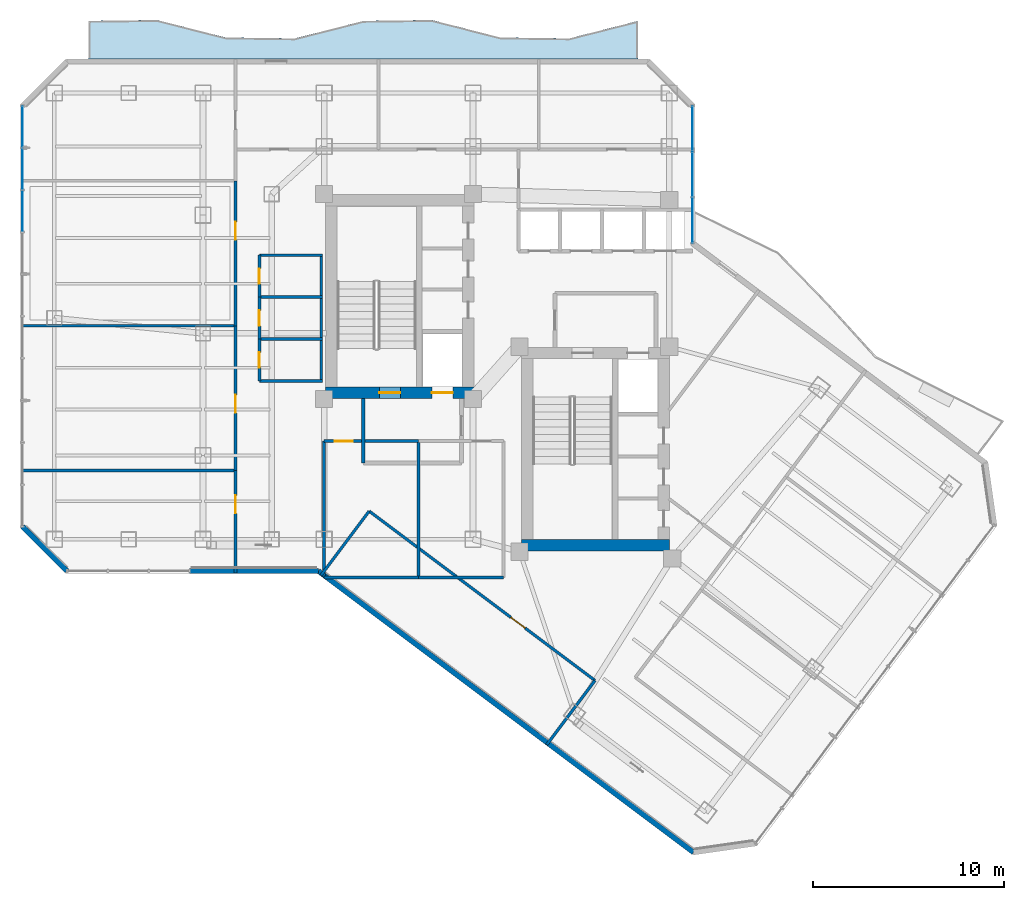
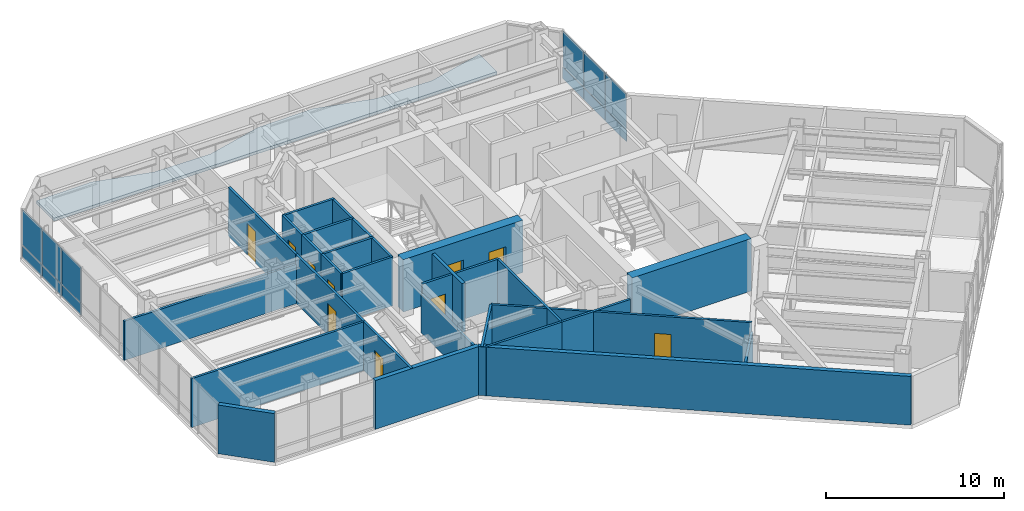
# One storey, part 22 of 28: 27 walls, 12 plates, 10 doors, 1 slab, 10 openings, 2 elements without a shape of their own.
"""IFC4 building model written with IfcOpenShell, lengths in metres."""

from ifc_helpers import new_model, si_unit, direction, frame, frame_2d, origin, origin_2d, place, context, subcontext, project, spatial, polyline, rectangle, outline, extrude, material, layer, layer_set, type_object, element, fill, aggregate, save


model = new_model("IFC4")

# Units and contexts
model_context = context("Model", 3, precision=1e-05, world=origin(), true_north=direction((0.0, 1.0)))
body_context = subcontext(model_context, "Body", "Model", "MODEL_VIEW")
ifc_project = project(units=[si_unit("LENGTHUNIT", "METRE"), si_unit("AREAUNIT", "SQUARE_METRE"), si_unit("VOLUMEUNIT", "CUBIC_METRE"), si_unit("PLANEANGLEUNIT", "RADIAN"), si_unit("MASSUNIT", "GRAM", prefix="KILO")], contexts=[model_context])

# Site, building, storey
site_placement = place(None, origin())
site = spatial("IfcSite", under=ifc_project, at=site_placement, CompositionType="ELEMENT")
building_placement = place(site_placement, origin())
building = spatial("IfcBuilding", under=site, at=building_placement, Name="Hatsunagi Terrace Concourse", CompositionType="ELEMENT")
storey_placement = place(building_placement, frame((0.0, 0.0, 160.050048828125)))
storey = spatial("IfcBuildingStorey", under=building, at=storey_placement, Name="L42", CompositionType="ELEMENT", Elevation=160.050048828125)

# Curtain wall, plates
ifc_material_1 = material(Name="Anodised Aluminium Alloy 6063-T5", Category="aluminium")
ifc_layer_1 = layer(ifc_material_1, 0.199951171875)
ifc_layer_set_1 = layer_set([ifc_layer_1], Name="OfficeZone1_CW03")
curtain_wall_type = type_object("IfcCurtainWallType", Name="OfficeZone1_CW03", PredefinedType="NOTDEFINED", material=ifc_layer_set_1)
curtain_wall_1_placement = place(storey_placement, origin())
curtain_wall_1 = element("IfcCurtainWall", 1, at=curtain_wall_1_placement, inside=storey, type_object=curtain_wall_type, Name="Unitised Curtain Wall CW-03 CW-L42-09", PredefinedType="NOTDEFINED")
ifc_material_2 = material(Name="Warm Terracotta Ceramic Spandrel Panel", Category="masonry")
ifc_layer_2 = layer(ifc_material_2, 0.031982421875)
ifc_layer_set_2 = layer_set([ifc_layer_2], Name="CurtainWallSpandrelPanel_32")
plate_type_1 = type_object("IfcPlateType", Name="CurtainWallSpandrelPanel_32", PredefinedType="SHEET", material=ifc_layer_set_2)
plate_1_placement = place(storey_placement, frame((9.739990234375, 42.4208984375, 0.030029296875), z_axis=(0.0, 0.0, 1.0), x_axis=(0.0, 1.0, 0.0)))
plate_1 = element("IfcPlate", 2, at=plate_1_placement, type_object=plate_type_1, Name="Terracotta Spandrel Panel SPN-01", PredefinedType="SHEET", context=body_context, shape_type="SweptSolid", body=[
    extrude(rectangle(XDim=2.153076171875, YDim=0.031982421875, at=origin_2d()), origin(), (0.0, 0.0, 1.0), 0.7900390625),
])
plate_2_placement = place(storey_placement, frame((9.739990234375, 44.62890625, 0.030029296875), z_axis=(0.0, 0.0, 1.0), x_axis=(0.0, 1.0, 0.0)))
plate_2 = element("IfcPlate", 3, at=plate_2_placement, type_object=plate_type_1, Name="Terracotta Spandrel Panel SPN-01", PredefinedType="SHEET", context=body_context, shape_type="SweptSolid", body=[
    extrude(rectangle(XDim=2.153076171875, YDim=0.031982421875, at=origin_2d()), origin(), (0.0, 0.0, 1.0), 0.7900390625),
])
plate_3_placement = place(storey_placement, frame((9.739990234375, 46.837890625, 0.030029296875), z_axis=(0.0, 0.0, 1.0), x_axis=(0.0, 1.0, 0.0)))
plate_3 = element("IfcPlate", 4, at=plate_3_placement, type_object=plate_type_1, Name="Terracotta Spandrel Panel SPN-01", PredefinedType="SHEET", context=body_context, shape_type="SweptSolid", body=[
    extrude(rectangle(XDim=2.153076171875, YDim=0.031982421875, at=origin_2d()), origin(), (0.0, 0.0, 1.0), 0.7900390625),
])

curtain_wall_2_placement = place(storey_placement, origin())
curtain_wall_2 = element("IfcCurtainWall", 5, at=curtain_wall_2_placement, inside=storey, type_object=curtain_wall_type, Name="Unitised Curtain Wall CW-03 CW-L42-13", PredefinedType="NOTDEFINED")
plate_4_placement = place(storey_placement, frame((44.860107421875, 46.739990234375, 0.030029296875), z_axis=(0.0, 0.0, 1.0), x_axis=(0.0, -1.0, 0.0)))
plate_4 = element("IfcPlate", 6, at=plate_4_placement, type_object=plate_type_1, Name="Terracotta Spandrel Panel SPN-01", PredefinedType="SHEET", context=body_context, shape_type="SweptSolid", body=[
    extrude(rectangle(XDim=2.34912109375, YDim=0.031982421875, at=origin_2d()), origin(), (0.0, 0.0, 1.0), 0.7900390625),
])
plate_5_placement = place(storey_placement, frame((44.860107421875, 44.3359375, 0.030029296875), z_axis=(0.0, 0.0, 1.0), x_axis=(0.0, -1.0, 0.0)))
plate_5 = element("IfcPlate", 7, at=plate_5_placement, type_object=plate_type_1, Name="Terracotta Spandrel Panel SPN-01", PredefinedType="SHEET", context=body_context, shape_type="SweptSolid", body=[
    extrude(rectangle(XDim=2.34912109375, YDim=0.031982421875, at=origin_2d()), origin(), (0.0, 0.0, 1.0), 0.7900390625),
])
plate_6_placement = place(storey_placement, frame((44.860107421875, 41.931884765625, 0.030029296875), z_axis=(0.0, 0.0, 1.0), x_axis=(0.0, -1.0, 0.0)))
plate_6 = element("IfcPlate", 8, at=plate_6_placement, type_object=plate_type_1, Name="Terracotta Spandrel Panel SPN-01", PredefinedType="SHEET", context=body_context, shape_type="SweptSolid", body=[
    extrude(rectangle(XDim=2.34912109375, YDim=0.031982421875, at=origin_2d()), origin(), (0.0, 0.0, 1.0), 0.7900390625),
])

# Plate
ifc_material_3 = material(Name="Low-E Double Insulating Glass 28mm", Category="glass")
ifc_layer_3 = layer(ifc_material_3, 0.028076171875)
ifc_layer_set_3 = layer_set([ifc_layer_3], Name="CurtainWallVisionGlass_28")
plate_type_2 = type_object("IfcPlateType", Name="CurtainWallVisionGlass_28", PredefinedType="CURTAIN_PANEL", material=ifc_layer_set_3)
plate_7_placement = place(storey_placement, frame((9.739990234375, 42.4208984375, 0.8798828125), z_axis=(0.0, 0.0, 1.0), x_axis=(0.0, 1.0, 0.0)))
plate_7 = element("IfcPlate", 9, at=plate_7_placement, type_object=plate_type_2, Name="Low-E Vision Glass Panel GLZ-01", PredefinedType="CURTAIN_PANEL", context=body_context, shape_type="SweptSolid", body=[
    extrude(rectangle(XDim=2.153076171875, YDim=0.028076171875, at=origin_2d()), origin(), (0.0, 0.0, 1.0), 2.43994140625),
])

plate_8_placement = place(storey_placement, frame((9.739990234375, 44.62890625, 0.8798828125), z_axis=(0.0, 0.0, 1.0), x_axis=(0.0, 1.0, 0.0)))
plate_8 = element("IfcPlate", 10, at=plate_8_placement, type_object=plate_type_2, Name="Low-E Vision Glass Panel GLZ-01", PredefinedType="CURTAIN_PANEL", context=body_context, shape_type="SweptSolid", body=[
    extrude(rectangle(XDim=2.153076171875, YDim=0.028076171875, at=origin_2d()), origin(), (0.0, 0.0, 1.0), 2.43994140625),
])

plate_9_placement = place(storey_placement, frame((9.739990234375, 46.837890625, 0.8798828125), z_axis=(0.0, 0.0, 1.0), x_axis=(0.0, 1.0, 0.0)))
plate_9 = element("IfcPlate", 11, at=plate_9_placement, type_object=plate_type_2, Name="Low-E Vision Glass Panel GLZ-01", PredefinedType="CURTAIN_PANEL", context=body_context, shape_type="SweptSolid", body=[
    extrude(rectangle(XDim=2.153076171875, YDim=0.028076171875, at=origin_2d()), origin(), (0.0, 0.0, 1.0), 2.43994140625),
])

aggregate(curtain_wall_1, [plate_1, plate_7, plate_2, plate_8, plate_3, plate_9])

plate_10_placement = place(storey_placement, frame((44.860107421875, 46.739990234375, 0.8798828125), z_axis=(0.0, 0.0, 1.0), x_axis=(0.0, -1.0, 0.0)))
plate_10 = element("IfcPlate", 12, at=plate_10_placement, type_object=plate_type_2, Name="Low-E Vision Glass Panel GLZ-01", PredefinedType="CURTAIN_PANEL", context=body_context, shape_type="SweptSolid", body=[
    extrude(rectangle(XDim=2.34912109375, YDim=0.028076171875, at=origin_2d()), origin(), (0.0, 0.0, 1.0), 2.43994140625),
])

plate_11_placement = place(storey_placement, frame((44.860107421875, 44.3359375, 0.8798828125), z_axis=(0.0, 0.0, 1.0), x_axis=(0.0, -1.0, 0.0)))
plate_11 = element("IfcPlate", 13, at=plate_11_placement, type_object=plate_type_2, Name="Low-E Vision Glass Panel GLZ-01", PredefinedType="CURTAIN_PANEL", context=body_context, shape_type="SweptSolid", body=[
    extrude(rectangle(XDim=2.34912109375, YDim=0.028076171875, at=origin_2d()), origin(), (0.0, 0.0, 1.0), 2.43994140625),
])

plate_12_placement = place(storey_placement, frame((44.860107421875, 41.931884765625, 0.8798828125), z_axis=(0.0, 0.0, 1.0), x_axis=(0.0, -1.0, 0.0)))
plate_12 = element("IfcPlate", 14, at=plate_12_placement, type_object=plate_type_2, Name="Low-E Vision Glass Panel GLZ-01", PredefinedType="CURTAIN_PANEL", context=body_context, shape_type="SweptSolid", body=[
    extrude(rectangle(XDim=2.34912109375, YDim=0.028076171875, at=origin_2d()), origin(), (0.0, 0.0, 1.0), 2.43994140625),
])

aggregate(curtain_wall_2, [plate_4, plate_10, plate_5, plate_11, plate_6, plate_12])

# Slab
ifc_material_4 = material(Name="Concrete Fc42", Category="concrete")
ifc_layer_4 = layer(ifc_material_4, 0.199951171875)
ifc_layer_set_4 = layer_set([ifc_layer_4], Name="EngawaBalconySlab_Fc42_200")
slab_type = type_object("IfcSlabType", Name="EngawaBalconySlab_Fc42_200", PredefinedType="FLOOR", material=ifc_layer_set_4)
slab_placement = place(storey_placement, frame((0.0, 0.0, -0.199951171875)))
element("IfcSlab", 15, at=slab_placement, inside=storey, type_object=slab_type, Name="Engawa Balcony Slab BAL-L42-BN", PredefinedType="FLOOR", context=body_context, shape_type="SweptSolid", body=[
    extrude(outline(polyline([(13.199951171875, 52.385009765625), (13.199951171875, 50.39990234375), (42.0, 50.39990234375), (42.0, 52.385009765625), (38.39990234375, 51.467041015625), (34.800048828125, 51.514892578125), (31.199951171875, 52.43310546875), (27.60009765625, 52.385009765625), (24.0, 51.467041015625), (20.39990234375, 51.514892578125), (16.800048828125, 52.43310546875), (13.199951171875, 52.385009765625)])), origin(), (0.0, 0.0, 1.0), 0.199951171875),
])

# Wall, openings, doors
ifc_material_5 = material(Name="Concrete Fc48", Category="concrete")
ifc_layer_5 = layer(ifc_material_5, 0.60009765625)
ifc_layer_set_5 = layer_set([ifc_layer_5], Name="CoreShearWall_Fc48_600")
wall_type_1 = type_object("IfcWallType", Name="CoreShearWall_Fc48_600", PredefinedType="SHEAR", material=ifc_layer_set_5)
wall_1_placement = place(storey_placement, frame((25.6201171875, 32.889892578125, 0.0), z_axis=(0.0, 0.0, 1.0), x_axis=(1.0, 0.0, 0.0)))
wall_1 = element("IfcWall", 16, at=wall_1_placement, inside=storey, type_object=wall_type_1, Name="Core A Shear Wall S L42", PredefinedType="SHEAR", context=body_context, shape_type="SweptSolid", body=[
    extrude(rectangle(XDim=7.77978515625, YDim=0.60009765625, at=frame_2d((3.889892578125, 0.0))), origin(), (0.0, 0.0, 1.0), 3.599853515625),
])
opening_1_placement = place(wall_1_placement, frame((2.830078125, 0.0, 0.0)))
opening_1 = element("IfcOpeningElement", 17, at=opening_1_placement, cuts=wall_1, Name="Opening DR-110S", PredefinedType="OPENING", context=body_context, shape_type="SweptSolid", body=[
    extrude(rectangle(XDim=1.10009765625, YDim=2.199951171875, at=frame_2d((0.550048828125, 1.10009765625))), frame((0.0, 0.31005859375, 0.0), z_axis=(0.0, -1.0, 0.0), x_axis=(1.0, 0.0, 0.0)), (0.0, 0.0, 1.0), 0.6201171875),
])
opening_2_placement = place(wall_1_placement, frame((5.580078125, 0.0, 0.0)))
opening_2 = element("IfcOpeningElement", 18, at=opening_2_placement, cuts=wall_1, Name="Opening LD-01", PredefinedType="OPENING", context=body_context, shape_type="SweptSolid", body=[
    extrude(rectangle(XDim=1.10009765625, YDim=2.14990234375, at=frame_2d((0.550048828125, 1.074951171875))), frame((0.0, 0.31005859375, 0.0), z_axis=(0.0, -1.0, 0.0), x_axis=(1.0, 0.0, 0.0)), (0.0, 0.0, 1.0), 0.6201171875),
])
ifc_material_6 = material(Name="Stainless steel", Category="steel")
door_type_1 = type_object("IfcDoorType", Name="LiftLandingDoor_LD01", OperationType="SLIDING_TO_LEFT", PredefinedType="USERDEFINED", material=ifc_material_6)
door_1_placement = place(opening_2_placement, origin())
door_1 = element("IfcDoor", 19, at=door_1_placement, inside=storey, type_object=door_type_1, Name="Lift landing door FF-01 L42", ObjectType="SLIDING_LANDING_DOOR", OperationType="SLIDING_TO_LEFT", OverallHeight=2.14990234375, OverallWidth=1.10009765625, PredefinedType="USERDEFINED", context=body_context, shape_type="SweptSolid", body=[
    extrude(rectangle(XDim=1.10009765625, YDim=2.14990234375, at=frame_2d((0.550048828125, 1.074951171875))), frame((0.0, 0.02490234375, 0.0), z_axis=(0.0, -1.0, 0.0), x_axis=(1.0, 0.0, 0.0)), (0.0, 0.0, 1.0), 0.050048828125),
])
fill(opening_2, door_1)
ifc_material_7 = material(Name="Painted steel", Category="steel")
door_type_2 = type_object("IfcDoorType", Name="StairFireDoor_EI60_1100", OperationType="NOTDEFINED", PredefinedType="DOOR", material=ifc_material_7)
door_2_placement = place(opening_1_placement, origin())
door_2 = element("IfcDoor", 20, at=door_2_placement, inside=storey, type_object=door_type_2, Name="Stair ST-A Exit Door L42", OperationType="SINGLE_SWING_LEFT", OverallHeight=2.199951171875, OverallWidth=1.10009765625, PredefinedType="DOOR", context=body_context, shape_type="SweptSolid", body=[
    extrude(rectangle(XDim=1.10009765625, YDim=2.199951171875, at=frame_2d((0.550048828125, 1.10009765625))), frame((0.0, 0.02490234375, 0.0), z_axis=(0.0, -1.0, 0.0), x_axis=(1.0, 0.0, 0.0)), (0.0, 0.0, 1.0), 0.050048828125),
])
fill(opening_1, door_2)

# Walls
wall_2_placement = place(storey_placement, frame((35.889892578125, 24.889892578125, 0.0), z_axis=(0.0, 0.0, 1.0), x_axis=(1.0, 0.0, 0.0)))
element("IfcWall", 21, at=wall_2_placement, inside=storey, type_object=wall_type_1, Name="Core B Shear Wall S L42", PredefinedType="SHEAR", context=body_context, shape_type="SweptSolid", body=[
    extrude(rectangle(XDim=7.760009765625, YDim=0.60009765625, at=frame_2d((3.8798828125, 0.0))), origin(), (0.0, 0.0, 1.0), 3.599853515625),
])
ifc_material_8 = material(Name="Acoustic mineral board", Category="gypsum")
ifc_layer_6 = layer(ifc_material_8, 0.14990234375)
ifc_layer_set_6 = layer_set([ifc_layer_6], Name="PartitionWall_EI60_150")
wall_type_2 = type_object("IfcWallType", Name="PartitionWall_EI60_150", PredefinedType="PARTITIONING", material=ifc_layer_set_6)
for number, where, z_axis, x_axis, name in (
    (22, (22.14990234375, 33.5, 0.0), (0.0, 0.0, 1.0), (1.0, 0.0, 0.0), "Interior Partition IW-L42-019"),
    (23, (22.14990234375, 40.10009765625, 0.0), (0.0, 0.0, 1.0), (1.0, 0.0, 0.0), "Interior Partition IW-L42-020"),
):
    element("IfcWall", number, at=place(storey_placement, frame(where, z_axis=z_axis, x_axis=x_axis)), inside=storey, type_object=wall_type_2, Name=name, PredefinedType="PARTITIONING", context=body_context, shape_type="SweptSolid", body=[
        extrude(rectangle(XDim=3.300048828125, YDim=0.14990234375, at=frame_2d((1.64990234375, 0.0))), origin(), (0.0, 0.0, 1.0), 3.349853515625),
    ])
wall_3_placement = place(storey_placement, frame((25.39990234375, 33.5, 0.0), z_axis=(0.0, 0.0, 1.0), x_axis=(0.0, 1.0, 0.0)))
element("IfcWall", 24, at=wall_3_placement, inside=storey, type_object=wall_type_2, Name="Interior Partition IW-L42-021", PredefinedType="PARTITIONING", context=body_context, shape_type="SweptSolid", body=[
    extrude(rectangle(XDim=6.60009765625, YDim=0.14990234375, at=frame_2d((3.300048828125, 0.0))), origin(), (0.0, 0.0, 1.0), 3.349853515625),
])
for number, where, z_axis, x_axis, name in (
    (25, (22.14990234375, 35.699951171875, 0.0), (0.0, 0.0, 1.0), (1.0, 0.0, 0.0), "Interior Partition IW-L42-022"),
    (26, (22.14990234375, 37.89990234375, 0.0), (0.0, 0.0, 1.0), (1.0, 0.0, 0.0), "Interior Partition IW-L42-023"),
):
    element("IfcWall", number, at=place(storey_placement, frame(where, z_axis=z_axis, x_axis=x_axis)), inside=storey, type_object=wall_type_2, Name=name, PredefinedType="PARTITIONING", context=body_context, shape_type="SweptSolid", body=[
        extrude(rectangle(XDim=3.300048828125, YDim=0.14990234375, at=frame_2d((1.64990234375, 0.0))), origin(), (0.0, 0.0, 1.0), 3.349853515625),
    ])

# Wall, opening, door
wall_4_placement = place(storey_placement, frame((22.14990234375, 33.5, 0.0), z_axis=(0.0, 0.0, 1.0), x_axis=(0.0, 1.0, 0.0)))
wall_4 = element("IfcWall", 27, at=wall_4_placement, inside=storey, type_object=wall_type_2, Name="Interior Partition IW-L42-024", PredefinedType="PARTITIONING", context=body_context, shape_type="SweptSolid", body=[
    extrude(rectangle(XDim=2.199951171875, YDim=0.14990234375, at=frame_2d((1.10009765625, 0.0))), origin(), (0.0, 0.0, 1.0), 3.349853515625),
])
opening_3_placement = place(wall_4_placement, frame((0.699951171875, 0.0, 0.0)))
opening_3 = element("IfcOpeningElement", 28, at=opening_3_placement, cuts=wall_4, Name="Opening DR-080", PredefinedType="OPENING", context=body_context, shape_type="SweptSolid", body=[
    extrude(rectangle(XDim=0.800048828125, YDim=2.06005859375, at=frame_2d((0.39990234375, 1.030029296875))), frame((0.0, 0.0849609375, 0.0), z_axis=(0.0, -1.0, 0.0), x_axis=(1.0, 0.0, 0.0)), (0.0, 0.0, 1.0), 0.169921875),
])
ifc_material_9 = material(Name="Hardwood timber", Category="wood")
door_type_3 = type_object("IfcDoorType", Name="BathroomDoor_800", OperationType="NOTDEFINED", PredefinedType="DOOR", material=ifc_material_9)
door_3_placement = place(opening_3_placement, origin())
door_3 = element("IfcDoor", 29, at=door_3_placement, inside=storey, type_object=door_type_3, Name="Accessible WC Door L42", OperationType="SINGLE_SWING_RIGHT", OverallHeight=2.06005859375, OverallWidth=0.800048828125, PredefinedType="DOOR", context=body_context, shape_type="SweptSolid", body=[
    extrude(rectangle(XDim=0.800048828125, YDim=2.06005859375, at=frame_2d((0.39990234375, 1.030029296875))), frame((0.0, 0.02490234375, 0.0), z_axis=(0.0, -1.0, 0.0), x_axis=(1.0, 0.0, 0.0)), (0.0, 0.0, 1.0), 0.050048828125),
])
fill(opening_3, door_3)

wall_5_placement = place(storey_placement, frame((22.14990234375, 35.699951171875, 0.0), z_axis=(0.0, 0.0, 1.0), x_axis=(0.0, 1.0, 0.0)))
wall_5 = element("IfcWall", 30, at=wall_5_placement, inside=storey, type_object=wall_type_2, Name="Interior Partition IW-L42-025", PredefinedType="PARTITIONING", context=body_context, shape_type="SweptSolid", body=[
    extrude(rectangle(XDim=2.199951171875, YDim=0.14990234375, at=frame_2d((1.10009765625, 0.0))), origin(), (0.0, 0.0, 1.0), 3.349853515625),
])
opening_4_placement = place(wall_5_placement, frame((0.699951171875, 0.0, 0.0)))
opening_4 = element("IfcOpeningElement", 31, at=opening_4_placement, cuts=wall_5, Name="Opening DR-080", PredefinedType="OPENING", context=body_context, shape_type="SweptSolid", body=[
    extrude(rectangle(XDim=0.800048828125, YDim=2.06005859375, at=frame_2d((0.39990234375, 1.030029296875))), frame((0.0, 0.0849609375, 0.0), z_axis=(0.0, -1.0, 0.0), x_axis=(1.0, 0.0, 0.0)), (0.0, 0.0, 1.0), 0.169921875),
])
door_4_placement = place(opening_4_placement, origin())
door_4 = element("IfcDoor", 32, at=door_4_placement, inside=storey, type_object=door_type_3, Name="Female Restroom Door L42", OperationType="SINGLE_SWING_RIGHT", OverallHeight=2.06005859375, OverallWidth=0.800048828125, PredefinedType="DOOR", context=body_context, shape_type="SweptSolid", body=[
    extrude(rectangle(XDim=0.800048828125, YDim=2.06005859375, at=frame_2d((0.39990234375, 1.030029296875))), frame((0.0, 0.02490234375, 0.0), z_axis=(0.0, -1.0, 0.0), x_axis=(1.0, 0.0, 0.0)), (0.0, 0.0, 1.0), 0.050048828125),
])
fill(opening_4, door_4)

wall_6_placement = place(storey_placement, frame((22.14990234375, 37.89990234375, 0.0), z_axis=(0.0, 0.0, 1.0), x_axis=(0.0, 1.0, 0.0)))
wall_6 = element("IfcWall", 33, at=wall_6_placement, inside=storey, type_object=wall_type_2, Name="Interior Partition IW-L42-026", PredefinedType="PARTITIONING", context=body_context, shape_type="SweptSolid", body=[
    extrude(rectangle(XDim=2.2001953125, YDim=0.14990234375, at=frame_2d((1.10009765625, 0.0))), origin(), (0.0, 0.0, 1.0), 3.349853515625),
])
opening_5_placement = place(wall_6_placement, frame((0.699951171875, 0.0, 0.0)))
opening_5 = element("IfcOpeningElement", 34, at=opening_5_placement, cuts=wall_6, Name="Opening DR-080", PredefinedType="OPENING", context=body_context, shape_type="SweptSolid", body=[
    extrude(rectangle(XDim=0.800048828125, YDim=2.06005859375, at=frame_2d((0.39990234375, 1.030029296875))), frame((0.0, 0.0849609375, 0.0), z_axis=(0.0, -1.0, 0.0), x_axis=(1.0, 0.0, 0.0)), (0.0, 0.0, 1.0), 0.169921875),
])
door_5_placement = place(opening_5_placement, origin())
door_5 = element("IfcDoor", 35, at=door_5_placement, inside=storey, type_object=door_type_3, Name="Male Restroom Door L42", OperationType="SINGLE_SWING_RIGHT", OverallHeight=2.06005859375, OverallWidth=0.800048828125, PredefinedType="DOOR", context=body_context, shape_type="SweptSolid", body=[
    extrude(rectangle(XDim=0.800048828125, YDim=2.06005859375, at=frame_2d((0.39990234375, 1.030029296875))), frame((0.0, 0.02490234375, 0.0), z_axis=(0.0, -1.0, 0.0), x_axis=(1.0, 0.0, 0.0)), (0.0, 0.0, 1.0), 0.050048828125),
])
fill(opening_5, door_5)

# Wall
wall_7_placement = place(storey_placement, frame((25.550048828125, 23.199951171875, 0.0), z_axis=(0.0, 0.0, 1.0), x_axis=(1.0, 0.0, 0.0)))
element("IfcWall", 36, at=wall_7_placement, inside=storey, type_object=wall_type_2, Name="Interior Partition IW-L42-027", PredefinedType="PARTITIONING", context=body_context, shape_type="SweptSolid", body=[
    extrude(rectangle(XDim=4.949951171875, YDim=0.14990234375, at=frame_2d((2.47509765625, 0.0))), origin(), (0.0, 0.0, 1.0), 3.349853515625),
])

# Wall, opening, door
wall_8_placement = place(storey_placement, frame((25.550048828125, 30.35009765625, 0.0), z_axis=(0.0, 0.0, 1.0), x_axis=(1.0, 0.0, 0.0)))
wall_8 = element("IfcWall", 37, at=wall_8_placement, inside=storey, type_object=wall_type_2, Name="Interior Partition IW-L42-028", PredefinedType="PARTITIONING", context=body_context, shape_type="SweptSolid", body=[
    extrude(rectangle(XDim=4.949951171875, YDim=0.14990234375, at=frame_2d((2.47509765625, 0.0))), origin(), (0.0, 0.0, 1.0), 3.349853515625),
])
opening_6_placement = place(wall_8_placement, frame((0.5419921875, 0.0, 0.0)))
opening_6 = element("IfcOpeningElement", 38, at=opening_6_placement, cuts=wall_8, Name="Opening DR-095", PredefinedType="OPENING", context=body_context, shape_type="SweptSolid", body=[
    extrude(rectangle(XDim=0.949951171875, YDim=2.14990234375, at=frame_2d((0.47509765625, 1.074951171875))), frame((0.0, 0.0849609375, 0.0), z_axis=(0.0, -1.0, 0.0), x_axis=(1.0, 0.0, 0.0)), (0.0, 0.0, 1.0), 0.169921875),
])
ifc_material_10 = material(Name="Hardwood timber", Category="wood")
door_type_4 = type_object("IfcDoorType", Name="InteriorSuiteDoor_EI30_950", OperationType="NOTDEFINED", PredefinedType="DOOR", material=ifc_material_10)
door_6_placement = place(opening_6_placement, origin())
door_6 = element("IfcDoor", 39, at=door_6_placement, inside=storey, type_object=door_type_4, Name="Design Studio L42-RECL1 Door", OperationType="SINGLE_SWING_RIGHT", OverallHeight=2.14990234375, OverallWidth=0.949951171875, PredefinedType="DOOR", context=body_context, shape_type="SweptSolid", body=[
    extrude(rectangle(XDim=0.949951171875, YDim=2.14990234375, at=frame_2d((0.47509765625, 1.074951171875))), frame((0.0, 0.02490234375, 0.0), z_axis=(0.0, -1.0, 0.0), x_axis=(1.0, 0.0, 0.0)), (0.0, 0.0, 1.0), 0.050048828125),
])
fill(opening_6, door_6)

# Walls
wall_9_placement = place(storey_placement, frame((25.550048828125, 23.199951171875, 0.0), z_axis=(0.0, 0.0, 1.0), x_axis=(0.0, 1.0, 0.0)))
element("IfcWall", 40, at=wall_9_placement, inside=storey, type_object=wall_type_2, Name="Interior Partition IW-L42-029", PredefinedType="PARTITIONING", context=body_context, shape_type="SweptSolid", body=[
    extrude(rectangle(XDim=7.150146484375, YDim=0.14990234375, at=frame_2d((3.5751953125, 0.0))), origin(), (0.0, 0.0, 1.0), 2.695068359375),
])
wall_10_placement = place(storey_placement, frame((30.5, 23.199951171875, 0.0), z_axis=(0.0, 0.0, 1.0), x_axis=(0.0, 1.0, 0.0)))
element("IfcWall", 41, at=wall_10_placement, inside=storey, type_object=wall_type_2, Name="Interior Partition IW-L42-030", PredefinedType="PARTITIONING", context=body_context, shape_type="SweptSolid", body=[
    extrude(rectangle(XDim=7.150146484375, YDim=0.14990234375, at=frame_2d((3.5751953125, 0.0))), origin(), (0.0, 0.0, 1.0), 3.349853515625),
])
wall_11_placement = place(storey_placement, frame((30.5, 23.199951171875, 0.0), z_axis=(0.0, 0.0, 1.0), x_axis=(1.0, 0.0, 0.0)))
element("IfcWall", 42, at=wall_11_placement, inside=storey, type_object=wall_type_2, Name="Interior Partition IW-L42-031", PredefinedType="PARTITIONING", context=body_context, shape_type="SweptSolid", body=[
    extrude(rectangle(XDim=4.449951171875, YDim=0.14990234375, at=frame_2d((2.22509765625, 0.0))), origin(), (0.0, 0.0, 1.0), 3.349853515625),
])
wall_12_placement = place(storey_placement, frame((9.639892578125, 28.800048828125, 0.0), z_axis=(0.0, 0.0, 1.0), x_axis=(1.0, 0.0, 0.0)))
element("IfcWall", 43, at=wall_12_placement, inside=storey, type_object=wall_type_2, Name="Interior Partition IW-L42-034", PredefinedType="PARTITIONING", context=body_context, shape_type="SweptSolid", body=[
    extrude(rectangle(XDim=11.260009765625, YDim=0.14990234375, at=frame_2d((5.6298828125, 0.0))), origin(), (0.0, 0.0, 1.0), 3.349853515625),
])

# Wall, opening, door
wall_13_placement = place(storey_placement, frame((20.89990234375, 23.43994140625, 0.0), z_axis=(0.0, 0.0, 1.0), x_axis=(0.0, 1.0, 0.0)))
wall_13 = element("IfcWall", 44, at=wall_13_placement, inside=storey, type_object=wall_type_2, Name="Interior Partition IW-L42-035", PredefinedType="PARTITIONING", context=body_context, shape_type="SweptSolid", body=[
    extrude(rectangle(XDim=5.360107421875, YDim=0.14990234375, at=frame_2d((2.68017578125, 0.0))), origin(), (0.0, 0.0, 1.0), 3.349853515625),
])
opening_7_placement = place(wall_13_placement, frame((3.116943359375, 0.0, 0.0)))
opening_7 = element("IfcOpeningElement", 45, at=opening_7_placement, cuts=wall_13, Name="Opening DR-095", PredefinedType="OPENING", context=body_context, shape_type="SweptSolid", body=[
    extrude(rectangle(XDim=0.949951171875, YDim=2.14990234375, at=frame_2d((0.47509765625, 1.074951171875))), frame((0.0, 0.0849609375, 0.0), z_axis=(0.0, -1.0, 0.0), x_axis=(1.0, 0.0, 0.0)), (0.0, 0.0, 1.0), 0.169921875),
])
door_7_placement = place(opening_7_placement, origin())
door_7 = element("IfcDoor", 46, at=door_7_placement, inside=storey, type_object=door_type_4, Name="Team Innovation Studio L42-OW1 Door", OperationType="SINGLE_SWING_RIGHT", OverallHeight=2.14990234375, OverallWidth=0.949951171875, PredefinedType="DOOR", context=body_context, shape_type="SweptSolid", body=[
    extrude(rectangle(XDim=0.949951171875, YDim=2.14990234375, at=frame_2d((0.47509765625, 1.074951171875))), frame((0.0, 0.02490234375, 0.0), z_axis=(0.0, -1.0, 0.0), x_axis=(1.0, 0.0, 0.0)), (0.0, 0.0, 1.0), 0.050048828125),
])
fill(opening_7, door_7)

# Wall
wall_14_placement = place(storey_placement, frame((9.639892578125, 36.39990234375, 0.0), z_axis=(0.0, 0.0, 1.0), x_axis=(1.0, 0.0, 0.0)))
element("IfcWall", 47, at=wall_14_placement, inside=storey, type_object=wall_type_2, Name="Interior Partition IW-L42-036", PredefinedType="PARTITIONING", context=body_context, shape_type="SweptSolid", body=[
    extrude(rectangle(XDim=11.260009765625, YDim=0.14990234375, at=frame_2d((5.6298828125, 0.0))), origin(), (0.0, 0.0, 1.0), 2.695068359375),
])

# Wall, opening, door
wall_15_placement = place(storey_placement, frame((20.89990234375, 28.800048828125, 0.0), z_axis=(0.0, 0.0, 1.0), x_axis=(0.0, 1.0, 0.0)))
wall_15 = element("IfcWall", 48, at=wall_15_placement, inside=storey, type_object=wall_type_2, Name="Interior Partition IW-L42-037", PredefinedType="PARTITIONING", context=body_context, shape_type="SweptSolid", body=[
    extrude(rectangle(XDim=7.599853515625, YDim=0.14990234375, at=frame_2d((3.7998046875, 0.0))), origin(), (0.0, 0.0, 1.0), 3.349853515625),
])
opening_8_placement = place(wall_15_placement, frame((3.030029296875, 0.0, 0.0)))
opening_8 = element("IfcOpeningElement", 49, at=opening_8_placement, cuts=wall_15, Name="Opening DR-095", PredefinedType="OPENING", context=body_context, shape_type="SweptSolid", body=[
    extrude(rectangle(XDim=0.949951171875, YDim=2.14990234375, at=frame_2d((0.47509765625, 1.074951171875))), frame((0.0, 0.0849609375, 0.0), z_axis=(0.0, -1.0, 0.0), x_axis=(1.0, 0.0, 0.0)), (0.0, 0.0, 1.0), 0.169921875),
])
door_8_placement = place(opening_8_placement, origin())
door_8 = element("IfcDoor", 50, at=door_8_placement, inside=storey, type_object=door_type_4, Name="Boardroom L42-OW2 Door", OperationType="SINGLE_SWING_RIGHT", OverallHeight=2.14990234375, OverallWidth=0.949951171875, PredefinedType="DOOR", context=body_context, shape_type="SweptSolid", body=[
    extrude(rectangle(XDim=0.949951171875, YDim=2.14990234375, at=frame_2d((0.47509765625, 1.074951171875))), frame((0.0, 0.02490234375, 0.0), z_axis=(0.0, -1.0, 0.0), x_axis=(1.0, 0.0, 0.0)), (0.0, 0.0, 1.0), 0.050048828125),
])
fill(opening_8, door_8)

wall_16_placement = place(storey_placement, frame((20.89990234375, 36.39990234375, 0.0), z_axis=(0.0, 0.0, 1.0), x_axis=(0.0, 1.0, 0.0)))
wall_16 = element("IfcWall", 51, at=wall_16_placement, inside=storey, type_object=wall_type_2, Name="Interior Partition IW-L42-039", PredefinedType="PARTITIONING", context=body_context, shape_type="SweptSolid", body=[
    extrude(rectangle(XDim=7.60009765625, YDim=0.14990234375, at=frame_2d((3.800048828125, 0.0))), origin(), (0.0, 0.0, 1.0), 3.349853515625),
])
opening_9_placement = place(wall_16_placement, frame((4.5029296875, 0.0, 0.0)))
opening_9 = element("IfcOpeningElement", 52, at=opening_9_placement, cuts=wall_16, Name="Opening DR-095", PredefinedType="OPENING", context=body_context, shape_type="SweptSolid", body=[
    extrude(rectangle(XDim=0.949951171875, YDim=2.14990234375, at=frame_2d((0.47509765625, 1.074951171875))), frame((0.0, 0.0849609375, 0.0), z_axis=(0.0, -1.0, 0.0), x_axis=(1.0, 0.0, 0.0)), (0.0, 0.0, 1.0), 0.169921875),
])
door_9_placement = place(opening_9_placement, origin())
door_9 = element("IfcDoor", 53, at=door_9_placement, inside=storey, type_object=door_type_4, Name="Design Studio L42-OW3 Door", OperationType="SINGLE_SWING_RIGHT", OverallHeight=2.14990234375, OverallWidth=0.949951171875, PredefinedType="DOOR", context=body_context, shape_type="SweptSolid", body=[
    extrude(rectangle(XDim=0.949951171875, YDim=2.14990234375, at=frame_2d((0.47509765625, 1.074951171875))), frame((0.0, 0.02490234375, 0.0), z_axis=(0.0, -1.0, 0.0), x_axis=(1.0, 0.0, 0.0)), (0.0, 0.0, 1.0), 0.050048828125),
])
fill(opening_9, door_9)

wall_17_placement = place(storey_placement, frame((27.909912109375, 26.679931640625, 0.0), z_axis=(0.0, 0.0, 1.0), x_axis=(0.800005938517, -0.599992081896, 0.0)))
wall_17 = element("IfcWall", 54, at=wall_17_placement, inside=storey, type_object=wall_type_2, Name="Interior Partition IW-L42-055", PredefinedType="PARTITIONING", context=body_context, shape_type="SweptSolid", body=[
    extrude(rectangle(XDim=14.800048828125, YDim=0.14990234375, at=frame_2d((7.39990234375, 0.0))), origin(), (0.0, 0.0, 1.0), 3.349853515625),
])
opening_10_placement = place(wall_17_placement, frame((9.281005859375, 0.0, 0.0)))
opening_10 = element("IfcOpeningElement", 55, at=opening_10_placement, cuts=wall_17, Name="Opening DR-095", PredefinedType="OPENING", context=body_context, shape_type="SweptSolid", body=[
    extrude(rectangle(XDim=0.949951171875, YDim=2.14990234375, at=frame_2d((0.47509765625, 1.074951171875))), frame((0.0, 0.0849609375, 0.0), z_axis=(0.0, -1.0, 0.0), x_axis=(1.0, 0.0, 0.0)), (0.0, 0.0, 1.0), 0.169921875),
])
door_10_placement = place(opening_10_placement, origin())
door_10 = element("IfcDoor", 56, at=door_10_placement, inside=storey, type_object=door_type_4, Name="Research Focus Suite L42-OSWS Door", OperationType="SINGLE_SWING_RIGHT", OverallHeight=2.14990234375, OverallWidth=0.949951171875, PredefinedType="DOOR", context=body_context, shape_type="SweptSolid", body=[
    extrude(rectangle(XDim=0.949951171875, YDim=2.14990234375, at=frame_2d((0.47509765625, 1.074951171875))), frame((0.0, 0.02490234375, 0.0), z_axis=(0.0, -1.0, 0.0), x_axis=(1.0, 0.0, 0.0)), (0.0, 0.0, 1.0), 0.050048828125),
])
fill(opening_10, door_10)

# Walls
wall_18_placement = place(storey_placement, frame((25.384033203125, 23.31201171875, 0.0), z_axis=(0.0, 0.0, 1.0), x_axis=(0.599990721155, 0.80000695905, 0.0)))
element("IfcWall", 57, at=wall_18_placement, inside=storey, type_object=wall_type_2, Name="Interior Partition IW-L42-056", PredefinedType="PARTITIONING", context=body_context, shape_type="SweptSolid", body=[
    extrude(rectangle(XDim=4.2099609375, YDim=0.14990234375, at=frame_2d((2.10498046875, 0.0))), origin(), (0.0, 0.0, 1.0), 3.349853515625),
])
wall_19_placement = place(storey_placement, frame((37.22412109375, 14.431884765625, 0.0), z_axis=(0.0, 0.0, 1.0), x_axis=(0.599962885857, 0.800027834262, 0.0)))
element("IfcWall", 58, at=wall_19_placement, inside=storey, type_object=wall_type_2, Name="Interior Partition IW-L42-057", PredefinedType="PARTITIONING", context=body_context, shape_type="SweptSolid", body=[
    extrude(rectangle(XDim=4.2099609375, YDim=0.14990234375, at=frame_2d((2.10498046875, 0.0))), origin(), (0.0, 0.0, 1.0), 2.695068359375),
])
ifc_material_11 = material(Name="Acoustic mineral board", Category="gypsum")
ifc_layer_7 = layer(ifc_material_11, 0.199951171875)
ifc_layer_set_7 = layer_set([ifc_layer_7], Name="ShaftWall_EI120_200")
wall_type_3 = type_object("IfcWallType", Name="ShaftWall_EI120_200", PredefinedType="STANDARD", material=ifc_layer_set_7)
wall_20_placement = place(storey_placement, frame((27.60009765625, 29.199951171875, 0.0), z_axis=(0.0, 0.0, 1.0), x_axis=(0.0, 1.0, 0.0)))
element("IfcWall", 59, at=wall_20_placement, inside=storey, type_object=wall_type_3, Name="Interior Partition IW-L42-008", PredefinedType="STANDARD", context=body_context, shape_type="SweptSolid", body=[
    extrude(rectangle(XDim=3.39013671875, YDim=0.199951171875, at=frame_2d((1.695068359375, 0.0))), origin(), (0.0, 0.0, 1.0), 3.349853515625),
])
ifc_material_12 = material(Name="Autoclaved Lightweight Concrete and Terracotta Cladding", Category="masonry")
ifc_layer_8 = layer(ifc_material_12, 0.280029296875)
ifc_layer_set_8 = layer_set([ifc_layer_8], Name="TerracottaSpandrelWall_280")
wall_type_4 = type_object("IfcWallType", Name="TerracottaSpandrelWall_280", PredefinedType="STANDARD", material=ifc_layer_set_8)
wall_21_placement = place(storey_placement, frame((44.91796875, 8.787109375, 0.0), z_axis=(0.0, 0.0, 1.0), x_axis=(-0.800004765927, 0.599993645378, 0.0)))
element("IfcWall", 60, at=wall_21_placement, inside=storey, type_object=wall_type_4, Name="Exterior Spandrel Wall EW-L42-05", PredefinedType="STANDARD", context=body_context, shape_type="SweptSolid", body=[
    extrude(rectangle(XDim=24.58837890625, YDim=0.280029296875, at=frame_2d((12.294189453125, 0.0))), origin(), (0.0, 0.0, 1.0), 3.349853515625),
])
wall_22_placement = place(storey_placement, frame((25.2470703125, 23.5400390625, 0.0), z_axis=(0.0, 0.0, 1.0), x_axis=(-1.0, 0.0, 0.0)))
element("IfcWall", 61, at=wall_22_placement, inside=storey, type_object=wall_type_4, Name="Exterior Spandrel Wall EW-L42-06", PredefinedType="STANDARD", context=body_context, shape_type="SweptSolid", body=[
    extrude(rectangle(XDim=6.7470703125, YDim=0.280029296875, at=frame_2d((3.37353515625, 0.0))), origin(), (0.0, 0.0, 1.0), 3.349853515625),
])
wall_23_placement = place(storey_placement, frame((12.05810546875, 23.5400390625, 0.0), z_axis=(0.0, 0.0, 1.0), x_axis=(-0.707144017911, 0.707069542501, 0.0)))
element("IfcWall", 62, at=wall_23_placement, inside=storey, type_object=wall_type_4, Name="Exterior Spandrel Wall EW-L42-08", PredefinedType="STANDARD", context=body_context, shape_type="SweptSolid", body=[
    extrude(rectangle(XDim=3.278076171875, YDim=0.280029296875, at=frame_2d((1.63916015625, 0.0))), origin(), (0.0, 0.0, 1.0), 3.349853515625),
])

save(model, "model.ifc")
